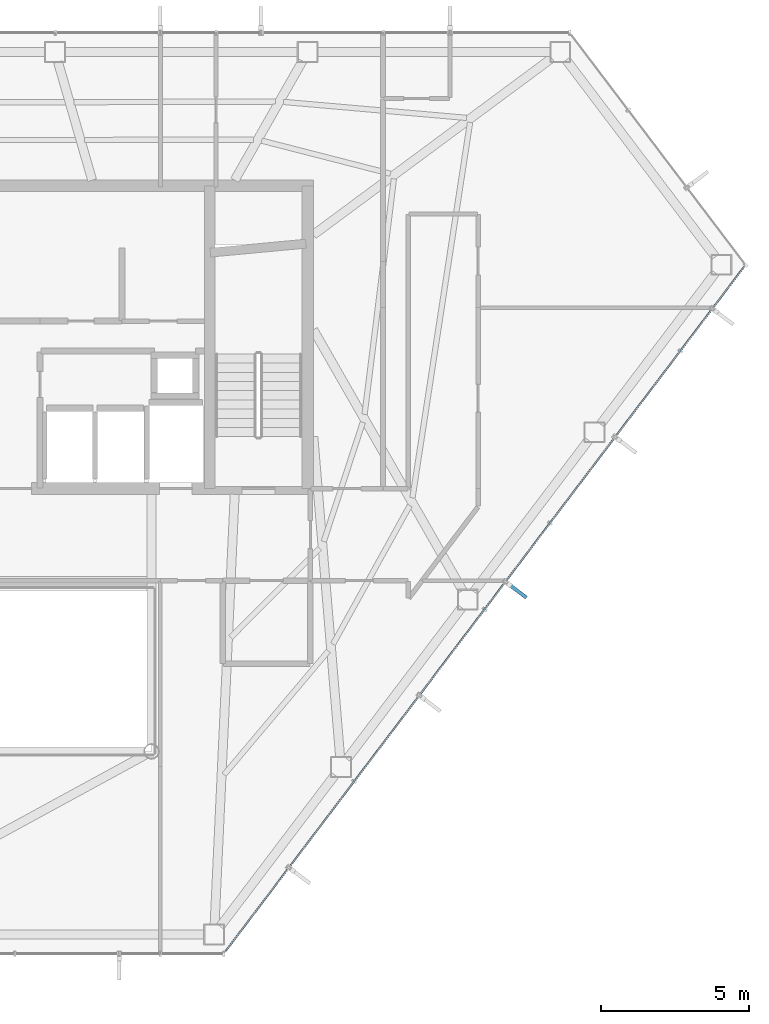
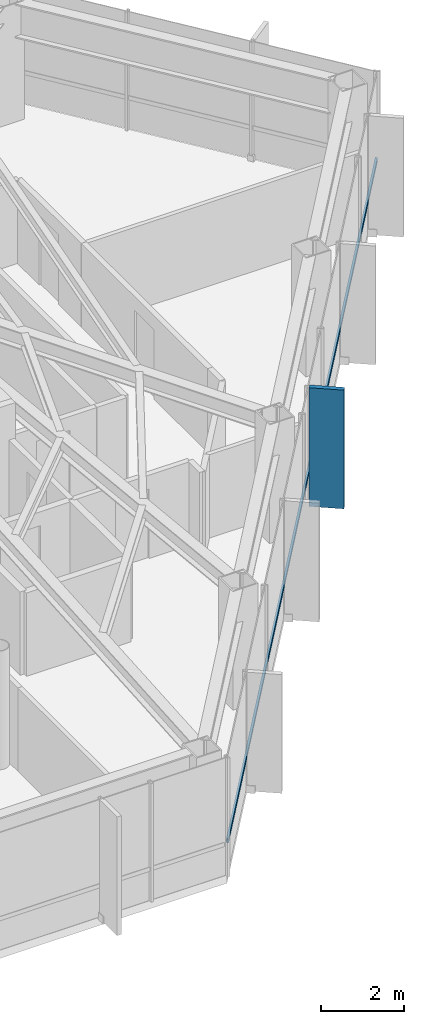
# One storey, part 18 of 28: 2 members, 1 element without a shape of its own.
"""IFC4 building model written with IfcOpenShell, lengths in metres."""

from ifc_helpers import new_model, si_unit, direction, frame, origin, origin_2d, place, context, subcontext, project, spatial, rectangle, hollow_rectangle, extrude, material, layer, layer_set, material_profile, profile_set, type_object, element, aggregate, save


model = new_model("IFC4")

# Units and contexts
model_context = context("Model", 3, precision=1e-05, world=origin(), true_north=direction((0.0, 1.0)))
body_context = subcontext(model_context, "Body", "Model", "MODEL_VIEW")
ifc_project = project(units=[si_unit("LENGTHUNIT", "METRE"), si_unit("AREAUNIT", "SQUARE_METRE"), si_unit("VOLUMEUNIT", "CUBIC_METRE"), si_unit("PLANEANGLEUNIT", "RADIAN"), si_unit("MASSUNIT", "GRAM", prefix="KILO")], contexts=[model_context])

# Site, building, storey
site_placement = place(None, origin())
site = spatial("IfcSite", under=ifc_project, at=site_placement, CompositionType="ELEMENT")
building_placement = place(site_placement, origin())
building = spatial("IfcBuilding", under=site, at=building_placement, Name="Zarrinselat Tower", CompositionType="ELEMENT")
storey_placement = place(building_placement, frame((0.0, 0.0, 187.0)))
storey = spatial("IfcBuildingStorey", under=building, at=storey_placement, Name="L46", CompositionType="ELEMENT", Elevation=187.0)

# Curtain wall, members
ifc_material_1 = material(Name="Extruded Aluminium Alloy EN AW-6063 T6", Category="aluminium")
ifc_layer = layer(ifc_material_1, 0.175048828125)
ifc_layer_set = layer_set([ifc_layer], Name="Extruded Aluminium Alloy EN AW-6063 T6")
curtain_wall_type = type_object("IfcCurtainWallType", Name="CWS-HTL", PredefinedType="NOTDEFINED", material=ifc_layer_set)
curtain_wall_placement = place(storey_placement, origin())
curtain_wall = element("IfcCurtainWall", 1, at=curtain_wall_placement, inside=storey, type_object=curtain_wall_type, Name="L46 Unitised Curtain Wall CW-L46-E05", PredefinedType="NOTDEFINED")
ifc_material_2 = material(Name="Extruded Aluminium Alloy EN AW-6063 T6", Category="aluminium")
ifc_material_profile_1 = material_profile(ifc_material_2, hollow_rectangle(XDim=0.06005859375, YDim=0.1201171875, WallThickness=0.00390625, at=origin_2d()), Name="RHS 120x60x4")
ifc_profile_set_1 = profile_set([ifc_material_profile_1], Name="Extruded Aluminium Alloy EN AW-6063 T6")
member_type_1 = type_object("IfcMemberType", Name="MEM-CW-TRN2", PredefinedType="USERDEFINED", material=ifc_profile_set_1)
member_1_placement = place(storey_placement, frame((45.48486328125, 17.660888671875, 0.949951171875), z_axis=(0.603859475595, 0.797090793909, 0.0), x_axis=(-0.797090793909, 0.603859475595, 0.0)))
member_1 = element("IfcMember", 2, at=member_1_placement, type_object=member_type_1, Name="CW-L46-E05 Transom 1", ObjectType="TRANSOM", PredefinedType="USERDEFINED", context=body_context, shape_type="SweptSolid", body=[
    extrude(hollow_rectangle(XDim=0.06005859375, YDim=0.1201171875, WallThickness=0.00390625, at=origin_2d()), origin(), (0.0, 0.0, 1.0), 28.924560546875),
])
ifc_material_3 = material(Name="Honed Cream Travertine Stone", Category="masonry")
ifc_material_profile_2 = material_profile(ifc_material_3, rectangle(XDim=0.1201171875, YDim=0.85009765625, at=origin_2d()), Name="FIN 850x120")
ifc_profile_set_2 = profile_set([ifc_material_profile_2], Name="Honed Cream Travertine Stone")
member_type_2 = type_object("IfcMemberType", Name="MEM-STONE-FIN", PredefinedType="USERDEFINED", material=ifc_profile_set_2)
member_2_placement = place(storey_placement, frame((55.285400390625, 29.8359375, 0.0), z_axis=(0.0, 0.0, 1.0), x_axis=(-0.603856629551, -0.797092950005, 0.0)))
member_2 = element("IfcMember", 3, at=member_2_placement, type_object=member_type_2, Name="L46 Stone Shading Fin CW-L46-E05-05", ObjectType="FIN", PredefinedType="USERDEFINED", context=body_context, shape_type="SweptSolid", body=[
    extrude(rectangle(XDim=0.1201171875, YDim=0.85009765625, at=origin_2d()), origin(), (0.0, 0.0, 1.0), 3.5),
])
aggregate(curtain_wall, [member_2, member_1])

save(model, "model.ifc")
